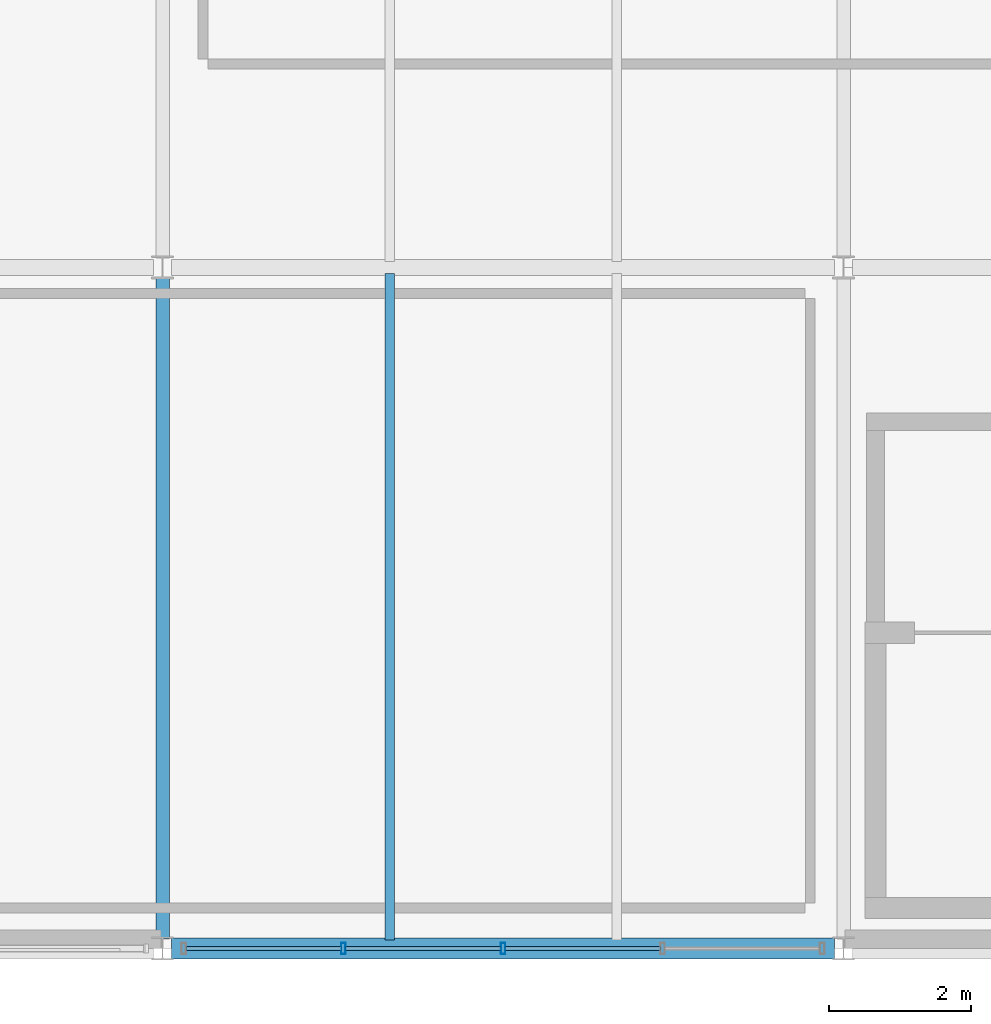
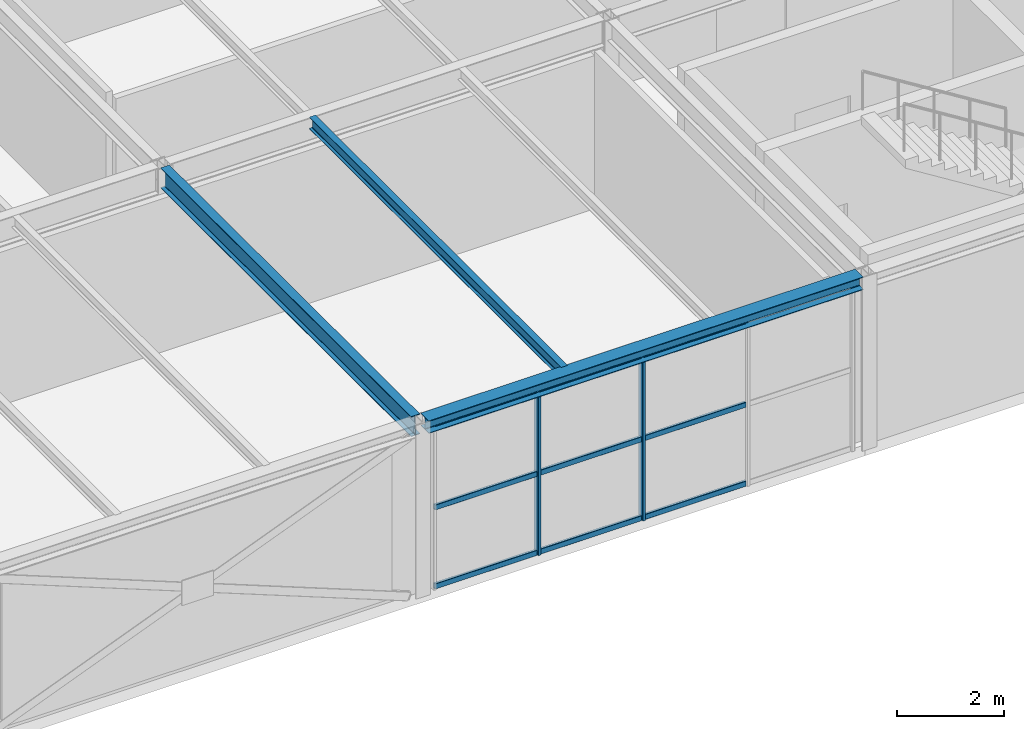
# One storey, part 6 of 50: 11 members, 3 beams, 1 element without a shape of its own.
"""IFC4 building model written with IfcOpenShell, lengths in metres."""

from ifc_helpers import new_model, si_unit, direction, frame, origin, origin_2d, place, context, subcontext, project, spatial, hollow_rectangle, i_section, extrude, material, material_profile, profile_set, type_object, element, aggregate, save


model = new_model("IFC4")

# Units and contexts
model_context = context("Model", 3, precision=1e-05, world=origin(), true_north=direction((0.0, 1.0)))
body_context = subcontext(model_context, "Body", "Model", "MODEL_VIEW")
ifc_project = project(units=[si_unit("LENGTHUNIT", "METRE"), si_unit("AREAUNIT", "SQUARE_METRE"), si_unit("VOLUMEUNIT", "CUBIC_METRE"), si_unit("PLANEANGLEUNIT", "RADIAN"), si_unit("MASSUNIT", "GRAM", prefix="KILO")], contexts=[model_context])

# Site, building, storey
site_placement = place(None, origin())
site = spatial("IfcSite", under=ifc_project, at=site_placement, CompositionType="ELEMENT")
building_placement = place(site_placement, origin())
building = spatial("IfcBuilding", under=site, at=building_placement, Name="Coralgate Yard Interchange", CompositionType="ELEMENT")
storey_placement = place(building_placement, frame((0.0, 0.0, 14.699951171875)))
storey = spatial("IfcBuildingStorey", under=building, at=storey_placement, Name="L03", CompositionType="ELEMENT", Elevation=14.699951171875)

# Beams
ifc_material_1 = material(Name="Structural steel S355J2", Category="steel")
ifc_material_profile_1 = material_profile(ifc_material_1, i_section(OverallWidth=0.1904296875, OverallDepth=0.45703125, WebThickness=0.009033203125, FlangeThickness=0.014404296875, FilletRadius=0.01025390625, at=origin_2d()), Name="UB 457x191x74")
ifc_profile_set_1 = profile_set([ifc_material_profile_1], Name="Structural steel S355J2")
beam_type_1 = type_object("IfcBeamType", Name="BM-SB-2", PredefinedType="BEAM", material=ifc_profile_set_1)
beam_1_placement = place(storey_placement, frame((9.60009765625, 0.133544921875, 3.721435546875), z_axis=(0.0, 1.0, 0.0), x_axis=(-1.0, 0.0, 0.0)))
element("IfcBeam", 1, at=beam_1_placement, inside=storey, type_object=beam_type_1, Name="L03 primary grid girder X1 Y0-1", PredefinedType="BEAM", context=body_context, shape_type="SweptSolid", body=[
    extrude(i_section(OverallWidth=0.1904296875, OverallDepth=0.45703125, WebThickness=0.009033203125, FlangeThickness=0.014404296875, FilletRadius=0.01025390625, at=origin_2d()), origin(), (0.0, 0.0, 1.0), 9.3330078125),
])
ifc_material_profile_2 = material_profile(ifc_material_1, i_section(OverallWidth=0.135009765625, OverallDepth=0.27001953125, WebThickness=0.006591796875, FlangeThickness=0.01025390625, FilletRadius=0.014892578125, at=origin_2d()), Name="IPE 270")
ifc_profile_set_2 = profile_set([ifc_material_profile_2], Name="Structural steel S355J2")
beam_type_2 = type_object("IfcBeamType", Name="BM-SJ-3", PredefinedType="JOIST", material=ifc_profile_set_2)
beam_2_placement = place(storey_placement, frame((12.800048828125, 0.1201171875, 3.81494140625), z_axis=(0.0, 1.0, 0.0), x_axis=(-1.0, 0.0, 0.0)))
element("IfcBeam", 2, at=beam_2_placement, inside=storey, type_object=beam_type_2, Name="L03 composite floor joist 1-0-1", PredefinedType="JOIST", context=body_context, shape_type="SweptSolid", body=[
    extrude(i_section(OverallWidth=0.135009765625, OverallDepth=0.27001953125, WebThickness=0.006591796875, FlangeThickness=0.01025390625, FilletRadius=0.014892578125, at=origin_2d()), origin(), (0.0, 0.0, 1.0), 9.395751953125),
])
ifc_material_profile_3 = material_profile(ifc_material_1, i_section(OverallWidth=0.300048828125, OverallDepth=0.2900390625, WebThickness=0.008544921875, FlangeThickness=0.013916015625, FilletRadius=0.027099609375, at=origin_2d()), Name="HEA 300")
ifc_profile_set_3 = profile_set([ifc_material_profile_3], Name="Structural steel S355J2")
beam_type_3 = type_object("IfcBeamType", Name="BM-SP-2", PredefinedType="SPANDREL", material=ifc_profile_set_3)
beam_3_placement = place(storey_placement, frame((9.7255859375, 0.0, 3.804931640625), z_axis=(1.0, 0.0, 0.0), x_axis=(0.0, 1.0, 0.0)))
element("IfcBeam", 3, at=beam_3_placement, inside=storey, type_object=beam_type_3, Name="L03 primary grid beam Y0 X1-2", PredefinedType="SPANDREL", context=body_context, shape_type="SweptSolid", body=[
    extrude(i_section(OverallWidth=0.300048828125, OverallDepth=0.2900390625, WebThickness=0.008544921875, FlangeThickness=0.013916015625, FilletRadius=0.027099609375, at=origin_2d()), origin(), (0.0, 0.0, 1.0), 9.348876953125),
])

# Curtain wall, members
ifc_material_2 = material(Name="Anodised coastal aluminium and solar-control low-E glass", Category="aluminium")
curtain_wall_type = type_object("IfcCurtainWallType", Name="CW-CW-L03-A", PredefinedType="NOTDEFINED", material=ifc_material_2)
curtain_wall_placement = place(storey_placement, origin())
curtain_wall = element("IfcCurtainWall", 4, at=curtain_wall_placement, inside=storey, type_object=curtain_wall_type, Name="L03 unitised curtain wall CW-L03-S-01-00", PredefinedType="NOTDEFINED")
ifc_material_3 = material(Name="Anodised coastal aluminium 6063-T6", Category="aluminium")
ifc_material_profile_4 = material_profile(ifc_material_3, hollow_rectangle(XDim=0.06494140625, YDim=0.159912109375, WallThickness=0.00390625, InnerFilletRadius=0.00390625, OuterFilletRadius=0.008056640625, at=origin_2d()), Name="ALU 65x160x4")
ifc_profile_set_4 = profile_set([ifc_material_profile_4], Name="Anodised coastal aluminium 6063-T6")
member_type_1 = type_object("IfcMemberType", Name="MB-MUL-160", PredefinedType="MULLION", material=ifc_profile_set_4)
member_1_placement = place(storey_placement, frame((14.39990234375, 0.0, 0.0), z_axis=(0.0, 0.0, 1.0), x_axis=(1.0, 0.0, 0.0)))
member_1 = element("IfcMember", 5, at=member_1_placement, type_object=member_type_1, Name="CW-L03-S-01-00 vertical mullion 3", PredefinedType="MULLION", context=body_context, shape_type="SweptSolid", body=[
    extrude(hollow_rectangle(XDim=0.06494140625, YDim=0.159912109375, WallThickness=0.00390625, InnerFilletRadius=0.00390625, OuterFilletRadius=0.008056640625, at=origin_2d()), origin(), (0.0, 0.0, 1.0), 3.66015625),
])
member_2_placement = place(storey_placement, frame((12.14990234375, 0.0, 0.0), z_axis=(0.0, 0.0, 1.0), x_axis=(1.0, 0.0, 0.0)))
member_2 = element("IfcMember", 6, at=member_2_placement, type_object=member_type_1, Name="CW-L03-S-01-00 vertical mullion 4", PredefinedType="MULLION", context=body_context, shape_type="SweptSolid", body=[
    extrude(hollow_rectangle(XDim=0.06494140625, YDim=0.159912109375, WallThickness=0.00390625, InnerFilletRadius=0.00390625, OuterFilletRadius=0.008056640625, at=origin_2d()), origin(), (0.0, 0.0, 1.0), 3.66015625),
])
ifc_material_profile_5 = material_profile(ifc_material_3, hollow_rectangle(XDim=0.06005859375, YDim=0.1201171875, WallThickness=0.00341796875, InnerFilletRadius=0.00341796875, OuterFilletRadius=0.007080078125, at=origin_2d()), Name="ALU 60x120x3.5")
ifc_profile_set_5 = profile_set([ifc_material_profile_5], Name="Anodised coastal aluminium 6063-T6")
member_type_2 = type_object("IfcMemberType", Name="MB-TRN-120", PredefinedType="USERDEFINED", material=ifc_profile_set_5)
member_3_placement = place(storey_placement, frame((16.6201171875, 0.0, 0.03515625), z_axis=(-1.0, 0.0, 0.0), x_axis=(0.0, -1.0, 0.0)))
member_3 = element("IfcMember", 7, at=member_3_placement, type_object=member_type_2, Name="CW-L03-S-01-00 horizontal transom 2-1", ObjectType="TRANSOM", PredefinedType="USERDEFINED", context=body_context, shape_type="SweptSolid", body=[
    extrude(hollow_rectangle(XDim=0.06005859375, YDim=0.1201171875, WallThickness=0.00341796875, InnerFilletRadius=0.00341796875, OuterFilletRadius=0.007080078125, at=origin_2d()), origin(), (0.0, 0.0, 1.0), 2.190185546875),
])
member_4_placement = place(storey_placement, frame((16.6201171875, 0.0, 1.830078125), z_axis=(-1.0, 0.0, 0.0), x_axis=(0.0, -1.0, 0.0)))
member_4 = element("IfcMember", 8, at=member_4_placement, type_object=member_type_2, Name="CW-L03-S-01-00 horizontal transom 2-2", ObjectType="TRANSOM", PredefinedType="USERDEFINED", context=body_context, shape_type="SweptSolid", body=[
    extrude(hollow_rectangle(XDim=0.06005859375, YDim=0.1201171875, WallThickness=0.00341796875, InnerFilletRadius=0.00341796875, OuterFilletRadius=0.007080078125, at=origin_2d()), origin(), (0.0, 0.0, 1.0), 2.190185546875),
])
member_5_placement = place(storey_placement, frame((16.6201171875, 0.0, 3.625), z_axis=(-1.0, 0.0, 0.0), x_axis=(0.0, -1.0, 0.0)))
member_5 = element("IfcMember", 9, at=member_5_placement, type_object=member_type_2, Name="CW-L03-S-01-00 horizontal transom 2-3", ObjectType="TRANSOM", PredefinedType="USERDEFINED", context=body_context, shape_type="SweptSolid", body=[
    extrude(hollow_rectangle(XDim=0.06005859375, YDim=0.1201171875, WallThickness=0.00341796875, InnerFilletRadius=0.00341796875, OuterFilletRadius=0.007080078125, at=origin_2d()), origin(), (0.0, 0.0, 1.0), 2.190185546875),
])
member_6_placement = place(storey_placement, frame((14.3701171875, 0.0, 0.03515625), z_axis=(-1.0, 0.0, 0.0), x_axis=(0.0, -1.0, 0.0)))
member_6 = element("IfcMember", 10, at=member_6_placement, type_object=member_type_2, Name="CW-L03-S-01-00 horizontal transom 3-1", ObjectType="TRANSOM", PredefinedType="USERDEFINED", context=body_context, shape_type="SweptSolid", body=[
    extrude(hollow_rectangle(XDim=0.06005859375, YDim=0.1201171875, WallThickness=0.00341796875, InnerFilletRadius=0.00341796875, OuterFilletRadius=0.007080078125, at=origin_2d()), origin(), (0.0, 0.0, 1.0), 2.190185546875),
])
member_7_placement = place(storey_placement, frame((14.3701171875, 0.0, 1.830078125), z_axis=(-1.0, 0.0, 0.0), x_axis=(0.0, -1.0, 0.0)))
member_7 = element("IfcMember", 11, at=member_7_placement, type_object=member_type_2, Name="CW-L03-S-01-00 horizontal transom 3-2", ObjectType="TRANSOM", PredefinedType="USERDEFINED", context=body_context, shape_type="SweptSolid", body=[
    extrude(hollow_rectangle(XDim=0.06005859375, YDim=0.1201171875, WallThickness=0.00341796875, InnerFilletRadius=0.00341796875, OuterFilletRadius=0.007080078125, at=origin_2d()), origin(), (0.0, 0.0, 1.0), 2.190185546875),
])
member_8_placement = place(storey_placement, frame((14.3701171875, 0.0, 3.625), z_axis=(-1.0, 0.0, 0.0), x_axis=(0.0, -1.0, 0.0)))
member_8 = element("IfcMember", 12, at=member_8_placement, type_object=member_type_2, Name="CW-L03-S-01-00 horizontal transom 3-3", ObjectType="TRANSOM", PredefinedType="USERDEFINED", context=body_context, shape_type="SweptSolid", body=[
    extrude(hollow_rectangle(XDim=0.06005859375, YDim=0.1201171875, WallThickness=0.00341796875, InnerFilletRadius=0.00341796875, OuterFilletRadius=0.007080078125, at=origin_2d()), origin(), (0.0, 0.0, 1.0), 2.190185546875),
])
member_9_placement = place(storey_placement, frame((12.1201171875, 0.0, 0.03515625), z_axis=(-1.0, 0.0, 0.0), x_axis=(0.0, -1.0, 0.0)))
member_9 = element("IfcMember", 13, at=member_9_placement, type_object=member_type_2, Name="CW-L03-S-01-00 horizontal transom 4-1", ObjectType="TRANSOM", PredefinedType="USERDEFINED", context=body_context, shape_type="SweptSolid", body=[
    extrude(hollow_rectangle(XDim=0.06005859375, YDim=0.1201171875, WallThickness=0.00341796875, InnerFilletRadius=0.00341796875, OuterFilletRadius=0.007080078125, at=origin_2d()), origin(), (0.0, 0.0, 1.0), 2.190185546875),
])
member_10_placement = place(storey_placement, frame((12.1201171875, 0.0, 1.830078125), z_axis=(-1.0, 0.0, 0.0), x_axis=(0.0, -1.0, 0.0)))
member_10 = element("IfcMember", 14, at=member_10_placement, type_object=member_type_2, Name="CW-L03-S-01-00 horizontal transom 4-2", ObjectType="TRANSOM", PredefinedType="USERDEFINED", context=body_context, shape_type="SweptSolid", body=[
    extrude(hollow_rectangle(XDim=0.06005859375, YDim=0.1201171875, WallThickness=0.00341796875, InnerFilletRadius=0.00341796875, OuterFilletRadius=0.007080078125, at=origin_2d()), origin(), (0.0, 0.0, 1.0), 2.190185546875),
])
member_11_placement = place(storey_placement, frame((12.1201171875, 0.0, 3.625), z_axis=(-1.0, 0.0, 0.0), x_axis=(0.0, -1.0, 0.0)))
member_11 = element("IfcMember", 15, at=member_11_placement, type_object=member_type_2, Name="CW-L03-S-01-00 horizontal transom 4-3", ObjectType="TRANSOM", PredefinedType="USERDEFINED", context=body_context, shape_type="SweptSolid", body=[
    extrude(hollow_rectangle(XDim=0.06005859375, YDim=0.1201171875, WallThickness=0.00341796875, InnerFilletRadius=0.00341796875, OuterFilletRadius=0.007080078125, at=origin_2d()), origin(), (0.0, 0.0, 1.0), 2.190185546875),
])
aggregate(curtain_wall, [member_1, member_2, member_3, member_4, member_5, member_6, member_7, member_8, member_9, member_10, member_11])

save(model, "model.ifc")
